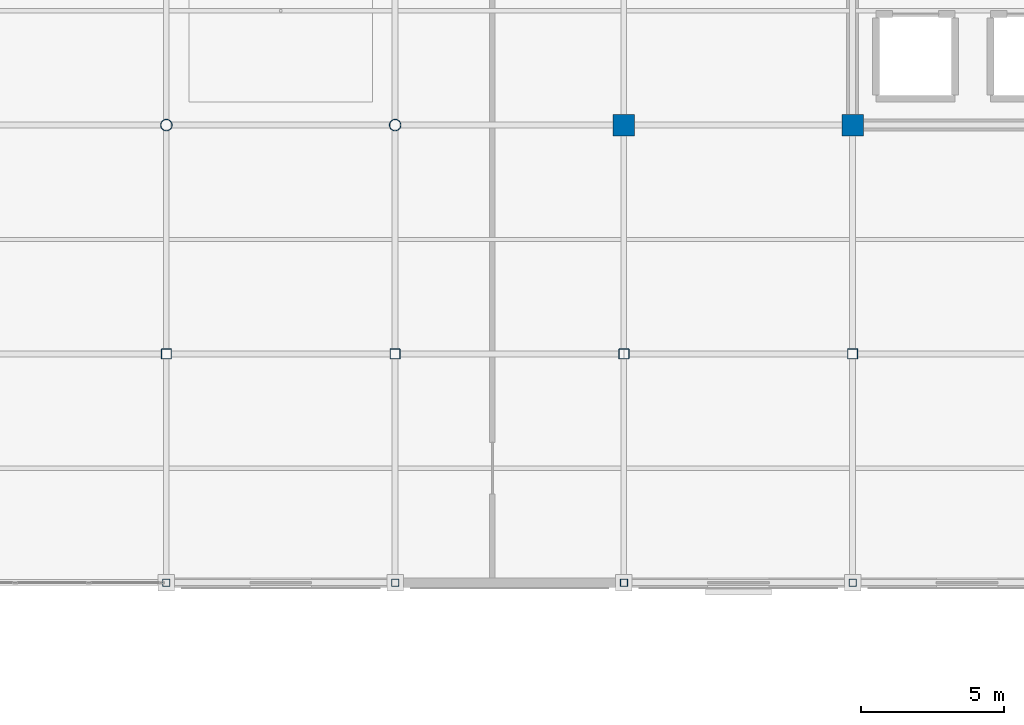
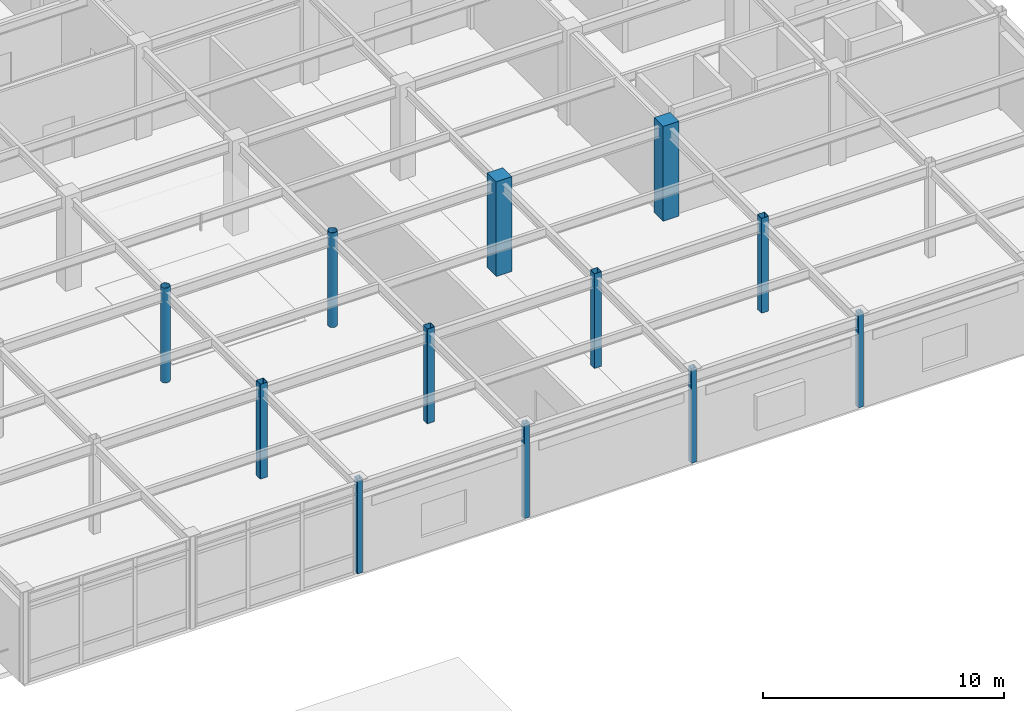
# One storey, part 20 of 117: 12 columns.
"""IFC4 building model written with IfcOpenShell, lengths in metres."""

import ifcopenshell
import ifcopenshell.guid

model = None  # the IFC model being written
_history = None  # IfcOwnerHistory: only IFC2X3 demands one
_inside = {}  # id of a spatial element -> (the spatial element, [elements in it])
_under = {}  # id of a project, library or spatial element -> (it, [spatial elements below it])
_declared = {}  # id of a project -> (the project, [libraries it declares])
_typed = {}  # id of a type object -> (the type object, [elements of that type])
_made_of = {}  # id of a material, layer set ... -> (it, [elements and type objects made of it])


def new_model(schema):
    """Start an empty IFC model of exactly this schema.

    Asked for "IFC4X3", IfcOpenShell would pick the latest addendum, in which some entities
    have other attributes; the version numbers below select the first issue.
    IFC2X3 requires an IfcOwnerHistory on every rooted entity: one is made here for all.
    """
    global model, _history
    if schema == "IFC4X3":
        model = ifcopenshell.file(schema_version=(4, 3, 0, 0))
    else:
        model = ifcopenshell.file(schema=schema)
    _inside.clear()
    _under.clear()
    _declared.clear()
    _typed.clear()
    _made_of.clear()
    _history = None
    if model.schema == "IFC2X3":
        org = make("IfcOrganization", Name="unknown")
        user = make(
            "IfcPersonAndOrganization",
            ThePerson=make("IfcPerson", FamilyName="unknown"),
            TheOrganization=org,
        )
        app = make(
            "IfcApplication",
            ApplicationDeveloper=org,
            Version="unknown",
            ApplicationFullName="unknown",
            ApplicationIdentifier="unknown",
        )
        _history = make(
            "IfcOwnerHistory",
            OwningUser=user,
            OwningApplication=app,
            ChangeAction="ADDED",
            CreationDate=0,
        )
    return model


def make(cls, **values):
    """One entity of the class cls with the attributes given. An attribute that is None is left unset."""
    return model.create_entity(
        cls, **{name: value for name, value in values.items() if value is not None}
    )


def rooted(cls, **values):
    """An entity with a GlobalId (a new one), such as an element, a storey or a relation."""
    return make(cls, GlobalId=ifcopenshell.guid.new(), OwnerHistory=_history, **values)


def si_unit(unit_type, name, prefix=None):
    """IfcSIUnit, for example si_unit("LENGTHUNIT", "METRE", prefix="MILLI")."""
    return make("IfcSIUnit", UnitType=unit_type, Prefix=prefix, Name=name)


def assignment(units):
    """IfcUnitAssignment: the units of a project."""
    return None if units is None else make("IfcUnitAssignment", Units=units)


def point(xyz):
    """IfcCartesianPoint."""
    return None if xyz is None else make("IfcCartesianPoint", Coordinates=xyz)


def direction(xyz):
    """IfcDirection."""
    return None if xyz is None else make("IfcDirection", DirectionRatios=xyz)


def frame(location, z_axis=None, x_axis=None):
    """IfcAxis2Placement3D, a coordinate frame: its origin and axes. An axis left out is left unset."""
    return make(
        "IfcAxis2Placement3D",
        Location=point(location),
        Axis=direction(z_axis),
        RefDirection=direction(x_axis),
    )


def frame_2d(location, x_axis=None):
    """IfcAxis2Placement2D, a coordinate frame in the plane: its origin and x axis."""
    return make(
        "IfcAxis2Placement2D", Location=point(location), RefDirection=direction(x_axis)
    )


def origin():
    """The frame at (0, 0, 0) with its axes left unset."""
    return frame((0.0, 0.0, 0.0))


def origin_2d():
    """The frame at (0, 0) in the plane with its x axis left unset."""
    return frame_2d((0.0, 0.0))


def place(relative_to, where):
    """IfcLocalPlacement: puts the frame where relative to a parent placement (None: the world)."""
    return make(
        "IfcLocalPlacement", PlacementRelTo=relative_to, RelativePlacement=where
    )


def context(
    kind, dimensions, precision=None, world=None, true_north=None, identifier=None
):
    """IfcGeometricRepresentationContext, for example the 3D "Model" context."""
    return make(
        "IfcGeometricRepresentationContext",
        ContextIdentifier=identifier,
        ContextType=kind,
        CoordinateSpaceDimension=dimensions,
        Precision=precision,
        WorldCoordinateSystem=world,
        TrueNorth=true_north,
    )


def subcontext(parent, identifier, kind, view, scale=None):
    """IfcGeometricRepresentationSubContext, for example "Body" below "Model"."""
    return make(
        "IfcGeometricRepresentationSubContext",
        ContextIdentifier=identifier,
        ContextType=kind,
        ParentContext=parent,
        TargetScale=scale,
        TargetView=view,
    )


def project(units=None, contexts=None):
    """IfcProject with its units and contexts."""
    return rooted(
        "IfcProject",
        Name="project",
        RepresentationContexts=contexts,
        UnitsInContext=assignment(units),
    )


def spatial(cls, under=None, at=None, **own):
    """A site, building, storey or space (cls), placed at a placement, below another one or the project."""
    s = rooted(cls, ObjectPlacement=at, **own)
    if under is not None:
        _under.setdefault(under.id(), (under, []))[1].append(s)
    return s


def profile(cls, at=None, kind="AREA", **sizes):
    """A parametric profile (cls). Its sizes go by their IFC names, for example OverallWidth=200.0."""
    return make(cls, ProfileType=kind, Position=at, **sizes)


def rectangle(**sizes):
    """IfcRectangleProfileDef."""
    return profile("IfcRectangleProfileDef", **sizes)


def hollow_rectangle(**sizes):
    """IfcRectangleHollowProfileDef."""
    return profile("IfcRectangleHollowProfileDef", **sizes)


def hollow_circle(**sizes):
    """IfcCircleHollowProfileDef."""
    return profile("IfcCircleHollowProfileDef", **sizes)


def extrude(swept, where, along, depth):
    """IfcExtrudedAreaSolid: the profile swept, set in the frame where, extruded along a direction by depth."""
    return make(
        "IfcExtrudedAreaSolid",
        SweptArea=swept,
        Position=where,
        ExtrudedDirection=direction(along),
        Depth=depth,
    )


def shape(context_of_items, identifier, shape_type, items):
    """IfcShapeRepresentation: the items that make up one representation, for example the "Body"."""
    return make(
        "IfcShapeRepresentation",
        ContextOfItems=context_of_items,
        RepresentationIdentifier=identifier,
        RepresentationType=shape_type,
        Items=items,
    )


def material(Name=None, Category=None):
    """IfcMaterial."""
    return make("IfcMaterial", Name=Name, Category=Category)


def material_profile(
    of_material, cross_section, Name=None, Category=None, Priority=None
):
    """IfcMaterialProfile: a cross section and its material."""
    return make(
        "IfcMaterialProfile",
        Name=Name,
        Material=of_material,
        Profile=cross_section,
        Priority=Priority,
        Category=Category,
    )


def profile_set(profiles, Name=None, composite=None):
    """IfcMaterialProfileSet."""
    return make(
        "IfcMaterialProfileSet",
        Name=Name,
        MaterialProfiles=profiles,
        CompositeProfile=composite,
    )


def made_of(thing, what):
    """Note that an element or type object is made of a material, layer set ...; save() writes the relation."""
    if what is not None:
        _made_of.setdefault(what.id(), (what, []))[1].append(thing)
    return thing


def type_object(cls, material=None, **own):
    """A type object (cls), such as IfcWallType, which elements share."""
    return made_of(rooted(cls, **own), material)


def element(
    cls,
    number,
    at=None,
    inside=None,
    cuts=None,
    type_object=None,
    material=None,
    context=None,
    identifier="Body",
    shape_type=None,
    held_by="IfcProductDefinitionShape",
    body=None,
    shapes=None,
    **own,
):
    """One element of the class cls, such as IfcWall. Its Tag is "e" and its number.

    at: its placement. inside: the storey or other place that contains it. cuts: it is an
    opening in that element (IfcRelVoidsElement). A single representation is given by context,
    identifier, shape_type and body (its items); several are given by shapes. held_by: the class
    of the entity that holds the representations. save() writes the other relations.
    """
    e = rooted(cls, Tag="e%d" % number, ObjectPlacement=at, **own)
    if body is not None:
        shapes = [shape(context, identifier, shape_type, body)]
    if shapes is not None:
        e.Representation = make(held_by, Representations=shapes)
    if inside is not None:
        _inside.setdefault(inside.id(), (inside, []))[1].append(e)
    if cuts is not None:
        rooted(
            "IfcRelVoidsElement", RelatingBuildingElement=cuts, RelatedOpeningElement=e
        )
    if type_object is not None:
        _typed.setdefault(type_object.id(), (type_object, []))[1].append(e)
    return made_of(e, material)


def aggregate(whole, parts):
    """IfcRelAggregates: a whole, such as a stair, and the parts it consists of."""
    return rooted("IfcRelAggregates", RelatingObject=whole, RelatedObjects=parts)


def save(model, path):
    """Write the relations noted so far, then the file.

    IfcRelAggregates (storeys below a building ...), IfcRelContainedInSpatialStructure (elements
    in a storey), IfcRelDefinesByType, IfcRelAssociatesMaterial and IfcRelDeclares: one each for
    every whole, place, type object, material and project.
    """
    for whole, parts in _under.values():
        aggregate(whole, parts)
    for where, things in _inside.values():
        rooted(
            "IfcRelContainedInSpatialStructure",
            RelatedElements=things,
            RelatingStructure=where,
        )
    for kind, things in _typed.values():
        rooted("IfcRelDefinesByType", RelatedObjects=things, RelatingType=kind)
    for what, things in _made_of.values():
        rooted("IfcRelAssociatesMaterial", RelatedObjects=things, RelatingMaterial=what)
    for by, libraries in _declared.values():
        rooted("IfcRelDeclares", RelatingContext=by, RelatedDefinitions=libraries)
    model.write(path)


model = new_model("IFC4")

# Units and contexts
model_context = context("Model", 3, precision=1e-05, world=origin(), true_north=direction((0.0, 1.0)))
body_context = subcontext(model_context, "Body", "Model", "MODEL_VIEW")
ifc_project = project(units=[si_unit("LENGTHUNIT", "METRE"), si_unit("AREAUNIT", "SQUARE_METRE"), si_unit("VOLUMEUNIT", "CUBIC_METRE"), si_unit("PLANEANGLEUNIT", "RADIAN"), si_unit("MASSUNIT", "GRAM", prefix="KILO")], contexts=[model_context])

# Site, building, storey
site_placement = place(None, origin())
site = spatial("IfcSite", under=ifc_project, at=site_placement, CompositionType="ELEMENT")
building_placement = place(site_placement, origin())
building = spatial("IfcBuilding", under=site, at=building_placement, Name="Solmirada Galleria", CompositionType="ELEMENT")
storey_placement = place(building_placement, frame((0.0, 0.0, 5.60009765625)))
storey = spatial("IfcBuildingStorey", under=building, at=storey_placement, Name="L01", CompositionType="ELEMENT", Elevation=5.60009765625)

# Columns
ifc_material_1 = material(Name="Steel S355 / ASTM A500 Grade C", Category="steel")
ifc_material_profile_1 = material_profile(ifc_material_1, hollow_circle(Radius=0.202880859375, WallThickness=0.01171875, at=origin_2d()), Name="HSS16.000X0.500")
ifc_profile_set_1 = profile_set([ifc_material_profile_1], Name="Steel S355 / ASTM A500 Grade C")
column_type_1 = type_object("IfcColumnType", Name="COL-CHS16", PredefinedType="COLUMN", material=ifc_profile_set_1)
for number, where, z_axis, x_axis, name in (
    (1, (136.0, 88.0, 0.0), (0.0, 0.0, 1.0), (1.0, 0.0, 0.0), "Structural column L01-1162"),
    (2, (144.0, 88.0, 0.0), (0.0, 0.0, 1.0), (1.0, 0.0, 0.0), "Structural column L01-1248"),
):
    element("IfcColumn", number, at=place(storey_placement, frame(where, z_axis=z_axis, x_axis=x_axis)), inside=storey, type_object=column_type_1, Name=name, PredefinedType="COLUMN", context=body_context, shape_type="SweptSolid", body=[
        extrude(hollow_circle(Radius=0.202880859375, WallThickness=0.01171875, at=origin_2d()), origin(), (0.0, 0.0, 1.0), 4.7998046875),
    ])
ifc_material_profile_2 = material_profile(ifc_material_1, hollow_rectangle(XDim=0.25390625, YDim=0.25390625, WallThickness=0.0087890625, InnerFilletRadius=0.0087890625, OuterFilletRadius=0.017822265625, at=origin_2d()), Name="HSS10X10X3/8")
ifc_profile_set_2 = profile_set([ifc_material_profile_2], Name="Steel S355 / ASTM A500 Grade C")
column_type_2 = type_object("IfcColumnType", Name="COL-HSS10", PredefinedType="COLUMN", material=ifc_profile_set_2)
for number, where, z_axis, x_axis, name in (
    (3, (136.0, 72.0, 0.0), (0.0, 0.0, 1.0), (1.0, 0.0, 0.0), "Structural column L01-1154"),
    (4, (144.0, 72.0, 0.0), (0.0, 0.0, 1.0), (1.0, 0.0, 0.0), "Structural column L01-1240"),
    (5, (152.0, 72.0, 0.0), (0.0, 0.0, 1.0), (1.0, 0.0, 0.0), "Structural column L01-1313"),
    (6, (160.0, 72.0, 0.0), (0.0, 0.0, 1.0), (1.0, 0.0, 0.0), "Structural column L01-1386"),
):
    element("IfcColumn", number, at=place(storey_placement, frame(where, z_axis=z_axis, x_axis=x_axis)), inside=storey, type_object=column_type_2, Name=name, PredefinedType="COLUMN", context=body_context, shape_type="SweptSolid", body=[
        extrude(hollow_rectangle(XDim=0.25390625, YDim=0.25390625, WallThickness=0.0087890625, InnerFilletRadius=0.0087890625, OuterFilletRadius=0.017822265625, at=origin_2d()), origin(), (0.0, 0.0, 1.0), 4.7998046875),
    ])
ifc_material_profile_3 = material_profile(ifc_material_1, hollow_rectangle(XDim=0.35595703125, YDim=0.35595703125, WallThickness=0.01171875, InnerFilletRadius=0.01171875, OuterFilletRadius=0.023681640625, at=origin_2d()), Name="HSS14X14X1/2")
ifc_profile_set_3 = profile_set([ifc_material_profile_3], Name="Steel S355 / ASTM A500 Grade C")
column_type_3 = type_object("IfcColumnType", Name="COL-HSS14", PredefinedType="COLUMN", material=ifc_profile_set_3)
for number, where, z_axis, x_axis, name in (
    (7, (136.0, 80.0, 0.0), (0.0, 0.0, 1.0), (1.0, 0.0, 0.0), "Structural column L01-1157"),
    (8, (144.0, 80.0, 0.0), (0.0, 0.0, 1.0), (1.0, 0.0, 0.0), "Structural column L01-1243"),
    (9, (152.0, 80.0, 0.0), (0.0, 0.0, 1.0), (1.0, 0.0, 0.0), "Structural column L01-1316"),
    (10, (160.0, 80.0, 0.0), (0.0, 0.0, 1.0), (1.0, 0.0, 0.0), "Structural column L01-1389"),
):
    element("IfcColumn", number, at=place(storey_placement, frame(where, z_axis=z_axis, x_axis=x_axis)), inside=storey, type_object=column_type_3, Name=name, PredefinedType="COLUMN", context=body_context, shape_type="SweptSolid", body=[
        extrude(hollow_rectangle(XDim=0.35595703125, YDim=0.35595703125, WallThickness=0.01171875, InnerFilletRadius=0.01171875, OuterFilletRadius=0.023681640625, at=origin_2d()), origin(), (0.0, 0.0, 1.0), 4.7998046875),
    ])
ifc_material_2 = material(Name="Concrete C40/50", Category="concrete")
ifc_material_profile_4 = material_profile(ifc_material_2, rectangle(XDim=0.75, YDim=0.75, at=origin_2d()), Name="RC750X750")
ifc_profile_set_4 = profile_set([ifc_material_profile_4], Name="Concrete C40/50")
column_type_4 = type_object("IfcColumnType", Name="COL-RC750", PredefinedType="COLUMN", material=ifc_profile_set_4)
for number, where, z_axis, x_axis, name in (
    (11, (152.0, 88.0, 0.0), (0.0, 0.0, 1.0), (1.0, 0.0, 0.0), "Structural column L01-1321"),
    (12, (160.0, 88.0, 0.0), (0.0, 0.0, 1.0), (1.0, 0.0, 0.0), "Structural column L01-1394"),
):
    element("IfcColumn", number, at=place(storey_placement, frame(where, z_axis=z_axis, x_axis=x_axis)), inside=storey, type_object=column_type_4, Name=name, PredefinedType="COLUMN", context=body_context, shape_type="SweptSolid", body=[
        extrude(rectangle(XDim=0.75, YDim=0.75, at=origin_2d()), origin(), (0.0, 0.0, 1.0), 4.7998046875),
    ])

save(model, "model.ifc")
